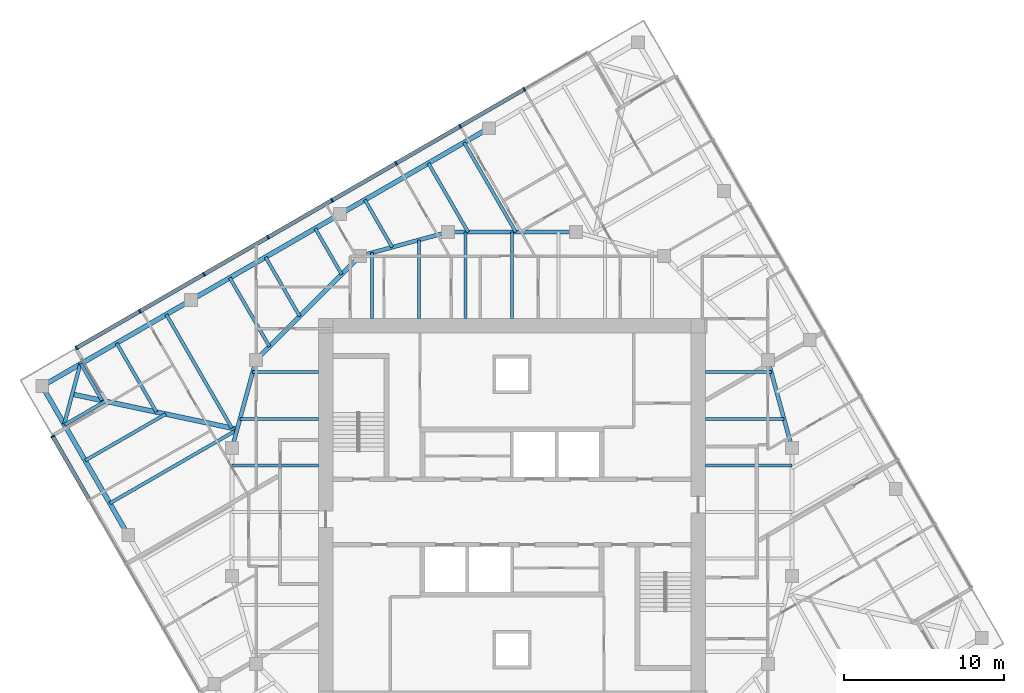
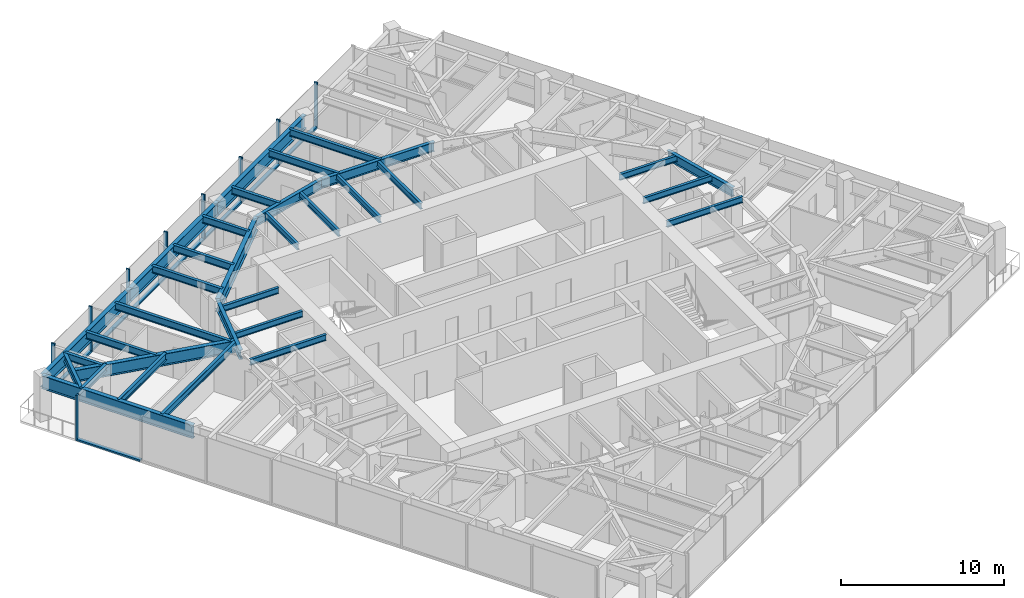
# One storey, part 4 of 13: 33 beams, 17 members, 2 elements without a shape of their own.
"""IFC4 building model written with IfcOpenShell, lengths in metres."""

from ifc_helpers import new_model, si_unit, direction, frame, origin, origin_2d, place, context, subcontext, project, spatial, rectangle, i_section, extrude, material, material_profile, profile_set, type_object, element, aggregate, save


model = new_model("IFC4")

# Units and contexts
model_context = context("Model", 3, precision=1e-05, world=origin(), true_north=direction((0.0, 1.0)))
body_context = subcontext(model_context, "Body", "Model", "MODEL_VIEW")
ifc_project = project(units=[si_unit("LENGTHUNIT", "METRE"), si_unit("AREAUNIT", "SQUARE_METRE"), si_unit("VOLUMEUNIT", "CUBIC_METRE"), si_unit("PLANEANGLEUNIT", "RADIAN"), si_unit("MASSUNIT", "GRAM", prefix="KILO")], contexts=[model_context])

# Site, building, storey
site_placement = place(None, origin())
site = spatial("IfcSite", under=ifc_project, at=site_placement, CompositionType="ELEMENT")
building_placement = place(site_placement, origin())
building = spatial("IfcBuilding", under=site, at=building_placement, Name="Torsade Residences", CompositionType="ELEMENT")
storey_placement = place(building_placement, frame((0.0, 0.0, 225.199951171875)))
storey = spatial("IfcBuildingStorey", under=building, at=storey_placement, Name="L62", CompositionType="ELEMENT", Elevation=225.199951171875)

# Beams
ifc_material_1 = material(Name="Steel grade 300", Category="steel")
ifc_material_profile_1 = material_profile(ifc_material_1, i_section(OverallWidth=0.300048828125, OverallDepth=0.89990234375, WebThickness=0.011962890625, FlangeThickness=0.02490234375, at=origin_2d()), Name="900WB175")
ifc_profile_set_1 = profile_set([ifc_material_profile_1], Name="Steel grade 300")
beam_type_1 = type_object("IfcBeamType", Name="CORNER GIRDER 900WB175", PredefinedType="BEAM", material=ifc_profile_set_1)
beam_1_placement = place(storey_placement, frame((12.5087890625, 37.3662109375, 2.800048828125), z_axis=(0.978115155685, -0.20806427425, 0.0), x_axis=(0.20806427425, 0.978115155685, 0.0)))
element("IfcBeam", 1, at=beam_1_placement, inside=storey, type_object=beam_type_1, Name="Corner girder 13 L63", PredefinedType="BEAM", context=body_context, shape_type="SweptSolid", body=[
    extrude(i_section(OverallWidth=0.300048828125, OverallDepth=0.89990234375, WebThickness=0.011962890625, FlangeThickness=0.02490234375, at=origin_2d()), origin(), (0.0, 0.0, 1.0), 10.541748046875),
])
ifc_material_2 = material(Name="Steel grade 300", Category="steel")
ifc_material_profile_2 = material_profile(ifc_material_2, i_section(OverallWidth=0.22802734375, OverallDepth=0.60205078125, WebThickness=0.010498046875, FlangeThickness=0.014892578125, FilletRadius=0.013916015625, at=origin_2d()), Name="610UB101")
ifc_profile_set_2 = profile_set([ifc_material_profile_2], Name="Steel grade 300")
beam_type_2 = type_object("IfcBeamType", Name="CORNER TRIMMER 610UB101", PredefinedType="BEAM", material=ifc_profile_set_2)
beam_2_placement = place(storey_placement, frame((12.00537109375, 35.488037109375, 2.948974609375), z_axis=(0.258822897619, 0.965924794002, 0.0), x_axis=(-0.965924794002, 0.258822897619, 0.0)))
element("IfcBeam", 2, at=beam_2_placement, inside=storey, type_object=beam_type_2, Name="Corner trimmer 13 L63", PredefinedType="BEAM", context=body_context, shape_type="SweptSolid", body=[
    extrude(i_section(OverallWidth=0.22802734375, OverallDepth=0.60205078125, WebThickness=0.010498046875, FlangeThickness=0.014892578125, FilletRadius=0.013916015625, at=origin_2d()), origin(), (0.0, 0.0, 1.0), 3.88916015625),
])
ifc_material_3 = material(Name="Steel grade 300", Category="steel")
ifc_material_profile_3 = material_profile(ifc_material_3, i_section(OverallWidth=0.300048828125, OverallDepth=1.0, WebThickness=0.01611328125, FlangeThickness=0.028076171875, at=origin_2d()), Name="1000WB215")
ifc_profile_set_3 = profile_set([ifc_material_profile_3], Name="Steel grade 300")
beam_type_3 = type_object("IfcBeamType", Name="EDGE BEAM 1000WB215", PredefinedType="SPANDREL", material=ifc_profile_set_3)
for number, where, z_axis, x_axis, name in (
    (3, (38.559814453125, 53.99462890625, 2.75), (-0.866026365697, -0.499998333915, 0.0), (0.499998333915, -0.866026365697, 0.0), "Edge beam 10 L63"),
    (4, (29.25, 48.61962890625, 2.75), (-0.866026365697, -0.499998333915, 0.0), (0.499998333915, -0.866026365697, 0.0), "Edge beam 11 L63"),
    (5, (19.940185546875, 43.24462890625, 2.75), (-0.866026365697, -0.499998333915, 0.0), (0.499998333915, -0.866026365697, 0.0), "Edge beam 12 L63"),
    (6, (10.63037109375, 37.86962890625, 2.75), (0.499998333915, -0.866026365697, 0.0), (0.866026365697, 0.499998333915, 0.0), "Edge beam 13 L63"),
):
    element("IfcBeam", number, at=place(storey_placement, frame(where, z_axis=z_axis, x_axis=x_axis)), inside=storey, type_object=beam_type_3, Name=name, PredefinedType="SPANDREL", context=body_context, shape_type="SweptSolid", body=[
        extrude(i_section(OverallWidth=0.300048828125, OverallDepth=1.0, WebThickness=0.01611328125, FlangeThickness=0.028076171875, at=origin_2d()), origin(), (0.0, 0.0, 1.0), 10.75),
    ])

# Curtain wall, members
ifc_material_4 = material(Name="Aluminium and glass", Category="aluminium")
curtain_wall_type = type_object("IfcCurtainWallType", Name="FRITTED GLASS CURTAIN WALL HIGH ZONE", PredefinedType="NOTDEFINED", material=ifc_material_4)
curtain_wall_1_placement = place(storey_placement, origin())
curtain_wall_1 = element("IfcCurtainWall", 7, at=curtain_wall_1_placement, inside=storey, type_object=curtain_wall_type, Name="Curtain wall L62 face 7", PredefinedType="NOTDEFINED")
ifc_material_5 = material(Name="Aluminium mullion", Category="aluminium")
ifc_material_profile_4 = material_profile(ifc_material_5, rectangle(XDim=0.25, YDim=0.10009765625, at=origin_2d()), Name="HIGH ZONE CURTAIN WALL MULLION 250x100")
ifc_profile_set_4 = profile_set([ifc_material_profile_4], Name="Aluminium mullion")
member_type_1 = type_object("IfcMemberType", Name="HIGH ZONE CURTAIN WALL MULLION 250x100", PredefinedType="MULLION", material=ifc_profile_set_4)
member_1_placement = place(storey_placement, frame((40.76611328125, 56.423095703125, 0.0), z_axis=(0.0, 0.0, 1.0), x_axis=(0.499999999305, -0.866025404186, 0.0)))
member_1 = element("IfcMember", 8, at=member_1_placement, type_object=member_type_1, Name="Mullion 2", PredefinedType="MULLION", context=body_context, shape_type="SweptSolid", body=[
    extrude(rectangle(XDim=0.25, YDim=0.10009765625, at=origin_2d()), origin(), (0.0, 0.0, 1.0), 3.400146484375),
])
member_2_placement = place(storey_placement, frame((36.7607421875, 54.110595703125, 0.0), z_axis=(0.0, 0.0, 1.0), x_axis=(0.499999999305, -0.866025404186, 0.0)))
member_2 = element("IfcMember", 9, at=member_2_placement, type_object=member_type_1, Name="Mullion 3", PredefinedType="MULLION", context=body_context, shape_type="SweptSolid", body=[
    extrude(rectangle(XDim=0.25, YDim=0.10009765625, at=origin_2d()), origin(), (0.0, 0.0, 1.0), 3.400146484375),
])
member_3_placement = place(storey_placement, frame((32.75537109375, 51.798095703125, 0.0), z_axis=(0.0, 0.0, 1.0), x_axis=(0.499999999305, -0.866025404186, 0.0)))
member_3 = element("IfcMember", 10, at=member_3_placement, type_object=member_type_1, Name="Mullion 4", PredefinedType="MULLION", context=body_context, shape_type="SweptSolid", body=[
    extrude(rectangle(XDim=0.25, YDim=0.10009765625, at=origin_2d()), origin(), (0.0, 0.0, 1.0), 3.400146484375),
])
member_4_placement = place(storey_placement, frame((28.75, 49.485595703125, 0.0), z_axis=(0.0, 0.0, 1.0), x_axis=(0.499999999305, -0.866025404186, 0.0)))
member_4 = element("IfcMember", 11, at=member_4_placement, type_object=member_type_1, Name="Mullion 5", PredefinedType="MULLION", context=body_context, shape_type="SweptSolid", body=[
    extrude(rectangle(XDim=0.25, YDim=0.10009765625, at=origin_2d()), origin(), (0.0, 0.0, 1.0), 3.400146484375),
])
member_5_placement = place(storey_placement, frame((24.74462890625, 47.173095703125, 0.0), z_axis=(0.0, 0.0, 1.0), x_axis=(0.499999999305, -0.866025404186, 0.0)))
member_5 = element("IfcMember", 12, at=member_5_placement, type_object=member_type_1, Name="Mullion 6", PredefinedType="MULLION", context=body_context, shape_type="SweptSolid", body=[
    extrude(rectangle(XDim=0.25, YDim=0.10009765625, at=origin_2d()), origin(), (0.0, 0.0, 1.0), 3.400146484375),
])
member_6_placement = place(storey_placement, frame((20.7392578125, 44.860595703125, 0.0), z_axis=(0.0, 0.0, 1.0), x_axis=(0.499999999305, -0.866025404186, 0.0)))
member_6 = element("IfcMember", 13, at=member_6_placement, type_object=member_type_1, Name="Mullion 7", PredefinedType="MULLION", context=body_context, shape_type="SweptSolid", body=[
    extrude(rectangle(XDim=0.25, YDim=0.10009765625, at=origin_2d()), origin(), (0.0, 0.0, 1.0), 3.400146484375),
])
member_7_placement = place(storey_placement, frame((16.73388671875, 42.548095703125, 0.0), z_axis=(0.0, 0.0, 1.0), x_axis=(0.499999999305, -0.866025404186, 0.0)))
member_7 = element("IfcMember", 14, at=member_7_placement, type_object=member_type_1, Name="Mullion 8", PredefinedType="MULLION", context=body_context, shape_type="SweptSolid", body=[
    extrude(rectangle(XDim=0.25, YDim=0.10009765625, at=origin_2d()), origin(), (0.0, 0.0, 1.0), 3.400146484375),
])
member_8_placement = place(storey_placement, frame((12.771728515625, 40.260498046875, 0.0), z_axis=(0.0, 0.0, 1.0), x_axis=(0.499999999305, -0.866025404186, 0.0)))
member_8 = element("IfcMember", 15, at=member_8_placement, type_object=member_type_1, Name="Mullion 9", PredefinedType="MULLION", context=body_context, shape_type="SweptSolid", body=[
    extrude(rectangle(XDim=0.25, YDim=0.10009765625, at=origin_2d()), origin(), (0.0, 0.0, 1.0), 3.400146484375),
])

# Curtain wall, member
curtain_wall_2_placement = place(storey_placement, origin())
curtain_wall_2 = element("IfcCurtainWall", 16, at=curtain_wall_2_placement, inside=storey, type_object=curtain_wall_type, Name="Curtain wall L62 face 10", PredefinedType="NOTDEFINED")
member_9_placement = place(storey_placement, frame((11.289306640625, 34.728271484375, 0.0), z_axis=(0.0, 0.0, 1.0), x_axis=(0.866025404186, 0.499999999305, 0.0)))
member_9 = element("IfcMember", 17, at=member_9_placement, type_object=member_type_1, Name="Mullion 1", PredefinedType="MULLION", context=body_context, shape_type="SweptSolid", body=[
    extrude(rectangle(XDim=0.25, YDim=0.10009765625, at=origin_2d()), origin(), (0.0, 0.0, 1.0), 3.400146484375),
])

# Member
ifc_material_6 = material(Name="Aluminium transom", Category="aluminium")
ifc_material_profile_5 = material_profile(ifc_material_6, rectangle(XDim=0.25, YDim=0.1201171875, at=origin_2d()), Name="HIGH ZONE CURTAIN WALL TRANSOM 250x120")
ifc_profile_set_5 = profile_set([ifc_material_profile_5], Name="Aluminium transom")
member_type_2 = type_object("IfcMemberType", Name="HIGH ZONE CURTAIN WALL TRANSOM 250x120", PredefinedType="USERDEFINED", material=ifc_profile_set_5)
member_10_placement = place(storey_placement, frame((40.722900390625, 56.398193359375, 0.06005859375), z_axis=(-0.866016678684, -0.500015112013, 0.0), x_axis=(0.500015112013, -0.866016678684, 0.0)))
member_10 = element("IfcMember", 18, at=member_10_placement, type_object=member_type_2, Name="Transom 2.1", ObjectType="TRANSOM", PredefinedType="USERDEFINED", context=body_context, shape_type="SweptSolid", body=[
    extrude(rectangle(XDim=0.25, YDim=0.1201171875, at=origin_2d()), origin(), (0.0, 0.0, 1.0), 4.525146484375),
])

member_11_placement = place(storey_placement, frame((36.717529296875, 54.085693359375, 0.06005859375), z_axis=(-0.866016678684, -0.500015112013, 0.0), x_axis=(0.500015112013, -0.866016678684, 0.0)))
member_11 = element("IfcMember", 19, at=member_11_placement, type_object=member_type_2, Name="Transom 3.1", ObjectType="TRANSOM", PredefinedType="USERDEFINED", context=body_context, shape_type="SweptSolid", body=[
    extrude(rectangle(XDim=0.25, YDim=0.1201171875, at=origin_2d()), origin(), (0.0, 0.0, 1.0), 4.525146484375),
])

member_12_placement = place(storey_placement, frame((32.712158203125, 51.773193359375, 0.06005859375), z_axis=(-0.866016678684, -0.500015112013, 0.0), x_axis=(0.500015112013, -0.866016678684, 0.0)))
member_12 = element("IfcMember", 20, at=member_12_placement, type_object=member_type_2, Name="Transom 4.1", ObjectType="TRANSOM", PredefinedType="USERDEFINED", context=body_context, shape_type="SweptSolid", body=[
    extrude(rectangle(XDim=0.25, YDim=0.1201171875, at=origin_2d()), origin(), (0.0, 0.0, 1.0), 4.525146484375),
])

member_13_placement = place(storey_placement, frame((28.706787109375, 49.460693359375, 0.06005859375), z_axis=(-0.866016678684, -0.500015112013, 0.0), x_axis=(0.500015112013, -0.866016678684, 0.0)))
member_13 = element("IfcMember", 21, at=member_13_placement, type_object=member_type_2, Name="Transom 5.1", ObjectType="TRANSOM", PredefinedType="USERDEFINED", context=body_context, shape_type="SweptSolid", body=[
    extrude(rectangle(XDim=0.25, YDim=0.1201171875, at=origin_2d()), origin(), (0.0, 0.0, 1.0), 4.525146484375),
])

member_14_placement = place(storey_placement, frame((24.701416015625, 47.148193359375, 0.06005859375), z_axis=(-0.866016678684, -0.500015112013, 0.0), x_axis=(0.500015112013, -0.866016678684, 0.0)))
member_14 = element("IfcMember", 22, at=member_14_placement, type_object=member_type_2, Name="Transom 6.1", ObjectType="TRANSOM", PredefinedType="USERDEFINED", context=body_context, shape_type="SweptSolid", body=[
    extrude(rectangle(XDim=0.25, YDim=0.1201171875, at=origin_2d()), origin(), (0.0, 0.0, 1.0), 4.525146484375),
])

member_15_placement = place(storey_placement, frame((20.696044921875, 44.835693359375, 0.06005859375), z_axis=(-0.866016678684, -0.500015112013, 0.0), x_axis=(0.500015112013, -0.866016678684, 0.0)))
member_15 = element("IfcMember", 23, at=member_15_placement, type_object=member_type_2, Name="Transom 7.1", ObjectType="TRANSOM", PredefinedType="USERDEFINED", context=body_context, shape_type="SweptSolid", body=[
    extrude(rectangle(XDim=0.25, YDim=0.1201171875, at=origin_2d()), origin(), (0.0, 0.0, 1.0), 4.525146484375),
])

member_16_placement = place(storey_placement, frame((16.690673828125, 42.523193359375, 0.06005859375), z_axis=(-0.866022053326, -0.50000580312, 0.0), x_axis=(0.50000580312, -0.866022053326, 0.0)))
member_16 = element("IfcMember", 24, at=member_16_placement, type_object=member_type_2, Name="Transom 8.1", ObjectType="TRANSOM", PredefinedType="USERDEFINED", context=body_context, shape_type="SweptSolid", body=[
    extrude(rectangle(XDim=0.25, YDim=0.1201171875, at=origin_2d()), origin(), (0.0, 0.0, 1.0), 4.47509765625),
])

aggregate(curtain_wall_1, [member_1, member_2, member_3, member_4, member_5, member_6, member_7, member_8, member_10, member_11, member_12, member_13, member_14, member_15, member_16])

member_17_placement = place(storey_placement, frame((11.314453125, 34.684814453125, 0.06005859375), z_axis=(0.50000580312, -0.866022053326, 0.0), x_axis=(0.866022053326, 0.50000580312, 0.0)))
member_17 = element("IfcMember", 25, at=member_17_placement, type_object=member_type_2, Name="Transom 1.1", ObjectType="TRANSOM", PredefinedType="USERDEFINED", context=body_context, shape_type="SweptSolid", body=[
    extrude(rectangle(XDim=0.25, YDim=0.1201171875, at=origin_2d()), origin(), (0.0, 0.0, 1.0), 4.47509765625),
])

aggregate(curtain_wall_2, [member_9, member_17])

# Beams
ifc_material_7 = material(Name="Steel grade 300", Category="steel")
ifc_material_profile_6 = material_profile(ifc_material_7, i_section(OverallWidth=0.18994140625, OverallDepth=0.4541015625, WebThickness=0.008544921875, FlangeThickness=0.0126953125, FilletRadius=0.011474609375, at=origin_2d()), Name="460UB67.1")
ifc_profile_set_6 = profile_set([ifc_material_profile_6], Name="Steel grade 300")
beam_type_4 = type_object("IfcBeamType", Name="INNER FLOOR BEAM 460UB67.1", PredefinedType="JOIST", material=ifc_profile_set_6)
beam_3_placement = place(storey_placement, frame((31.262451171875, 42.10009765625, 3.02294921875), z_axis=(0.0, 1.0, 0.0), x_axis=(-1.0, 0.0, 0.0)))
element("IfcBeam", 26, at=beam_3_placement, inside=storey, type_object=beam_type_4, Name="Inner floor beam IN01 L63", PredefinedType="JOIST", context=body_context, shape_type="SweptSolid", body=[
    extrude(i_section(OverallWidth=0.18994140625, OverallDepth=0.4541015625, WebThickness=0.008544921875, FlangeThickness=0.0126953125, FilletRadius=0.011474609375, at=origin_2d()), origin(), (0.0, 0.0, 1.0), 4.10791015625),
])
beam_4_placement = place(storey_placement, frame((34.175048828125, 42.10009765625, 3.02294921875), z_axis=(0.0, 1.0, 0.0), x_axis=(-1.0, 0.0, 0.0)))
element("IfcBeam", 27, at=beam_4_placement, inside=storey, type_object=beam_type_4, Name="Inner floor beam IN02 L63", PredefinedType="JOIST", context=body_context, shape_type="SweptSolid", body=[
    extrude(i_section(OverallWidth=0.18994140625, OverallDepth=0.4541015625, WebThickness=0.008544921875, FlangeThickness=0.0126953125, FilletRadius=0.011474609375, at=origin_2d()), origin(), (0.0, 0.0, 1.0), 4.902099609375),
])
for number, where, z_axis, x_axis, name in (
    (28, (37.08740234375, 42.10009765625, 3.02294921875), (0.0, 1.0, 0.0), (-1.0, 0.0, 0.0), "Inner floor beam IN03 L63"),
    (29, (40.0, 42.10009765625, 3.02294921875), (0.0, 1.0, 0.0), (-1.0, 0.0, 0.0), "Inner floor beam IN04 L63"),
    (30, (52.10009765625, 32.91259765625, 3.02294921875), (1.0, 0.0, 0.0), (0.0, 1.0, 0.0), "Inner floor beam IE05 L63"),
):
    element("IfcBeam", number, at=place(storey_placement, frame(where, z_axis=z_axis, x_axis=x_axis)), inside=storey, type_object=beam_type_4, Name=name, PredefinedType="JOIST", context=body_context, shape_type="SweptSolid", body=[
        extrude(i_section(OverallWidth=0.18994140625, OverallDepth=0.4541015625, WebThickness=0.008544921875, FlangeThickness=0.0126953125, FilletRadius=0.011474609375, at=origin_2d()), origin(), (0.0, 0.0, 1.0), 5.39990234375),
    ])
beam_5_placement = place(storey_placement, frame((52.10009765625, 35.824951171875, 3.02294921875), z_axis=(1.0, 0.0, 0.0), x_axis=(0.0, 1.0, 0.0)))
element("IfcBeam", 31, at=beam_5_placement, inside=storey, type_object=beam_type_4, Name="Inner floor beam IE06 L63", PredefinedType="JOIST", context=body_context, shape_type="SweptSolid", body=[
    extrude(i_section(OverallWidth=0.18994140625, OverallDepth=0.4541015625, WebThickness=0.008544921875, FlangeThickness=0.0126953125, FilletRadius=0.011474609375, at=origin_2d()), origin(), (0.0, 0.0, 1.0), 4.902099609375),
])
for number, where, z_axis, x_axis, name in (
    (32, (52.10009765625, 38.737548828125, 3.02294921875), (1.0, 0.0, 0.0), (0.0, 1.0, 0.0), "Inner floor beam IE07 L63"),
    (33, (27.89990234375, 38.737548828125, 3.02294921875), (-1.0, 0.0, 0.0), (0.0, -1.0, 0.0), "Inner floor beam IW01 L63"),
):
    element("IfcBeam", number, at=place(storey_placement, frame(where, z_axis=z_axis, x_axis=x_axis)), inside=storey, type_object=beam_type_4, Name=name, PredefinedType="JOIST", context=body_context, shape_type="SweptSolid", body=[
        extrude(i_section(OverallWidth=0.18994140625, OverallDepth=0.4541015625, WebThickness=0.008544921875, FlangeThickness=0.0126953125, FilletRadius=0.011474609375, at=origin_2d()), origin(), (0.0, 0.0, 1.0), 4.10791015625),
    ])
beam_6_placement = place(storey_placement, frame((27.89990234375, 35.824951171875, 3.02294921875), z_axis=(-1.0, 0.0, 0.0), x_axis=(0.0, -1.0, 0.0)))
element("IfcBeam", 34, at=beam_6_placement, inside=storey, type_object=beam_type_4, Name="Inner floor beam IW02 L63", PredefinedType="JOIST", context=body_context, shape_type="SweptSolid", body=[
    extrude(i_section(OverallWidth=0.18994140625, OverallDepth=0.4541015625, WebThickness=0.008544921875, FlangeThickness=0.0126953125, FilletRadius=0.011474609375, at=origin_2d()), origin(), (0.0, 0.0, 1.0), 4.902099609375),
])
beam_7_placement = place(storey_placement, frame((27.89990234375, 32.91259765625, 3.02294921875), z_axis=(-1.0, 0.0, 0.0), x_axis=(0.0, -1.0, 0.0)))
element("IfcBeam", 35, at=beam_7_placement, inside=storey, type_object=beam_type_4, Name="Inner floor beam IW03 L63", PredefinedType="JOIST", context=body_context, shape_type="SweptSolid", body=[
    extrude(i_section(OverallWidth=0.18994140625, OverallDepth=0.4541015625, WebThickness=0.008544921875, FlangeThickness=0.0126953125, FilletRadius=0.011474609375, at=origin_2d()), origin(), (0.0, 0.0, 1.0), 5.39990234375),
])
ifc_material_8 = material(Name="Steel grade 300", Category="steel")
ifc_material_profile_7 = material_profile(ifc_material_8, i_section(OverallWidth=0.300048828125, OverallDepth=1.0, WebThickness=0.01611328125, FlangeThickness=0.028076171875, at=origin_2d()), Name="1000WB215")
ifc_profile_set_7 = profile_set([ifc_material_profile_7], Name="Steel grade 300")
beam_type_5 = type_object("IfcBeamType", Name="RING CORNER GIRDER 1000WB215", PredefinedType="BEAM", material=ifc_profile_set_7)
beam_8_placement = place(storey_placement, frame((30.5, 46.0, 2.75), z_axis=(-0.707106781187, -0.707106781187, 0.0), x_axis=(0.707106781187, -0.707106781187, 0.0)))
element("IfcBeam", 36, at=beam_8_placement, inside=storey, type_object=beam_type_5, Name="Ring girder IR07 L63", PredefinedType="BEAM", context=body_context, shape_type="SweptSolid", body=[
    extrude(i_section(OverallWidth=0.300048828125, OverallDepth=1.0, WebThickness=0.01611328125, FlangeThickness=0.028076171875, at=origin_2d()), origin(), (0.0, 0.0, 1.0), 9.1923828125),
])
ifc_material_9 = material(Name="Steel grade 300", Category="steel")
ifc_material_profile_8 = material_profile(ifc_material_9, i_section(OverallWidth=0.25, OverallDepth=0.699951171875, WebThickness=0.010009765625, FlangeThickness=0.02001953125, at=origin_2d()), Name="700WB130")
ifc_profile_set_8 = profile_set([ifc_material_profile_8], Name="Steel grade 300")
beam_type_6 = type_object("IfcBeamType", Name="RING GIRDER 700WB130", PredefinedType="BEAM", material=ifc_profile_set_8)
beam_9_placement = place(storey_placement, frame((57.5, 34.0, 2.900146484375), z_axis=(-0.263117405792, 0.964763821238, 0.0), x_axis=(-0.964763821238, -0.263117405792, 0.0)))
element("IfcBeam", 37, at=beam_9_placement, inside=storey, type_object=beam_type_6, Name="Ring girder IR02 L63", PredefinedType="BEAM", context=body_context, shape_type="SweptSolid", body=[
    extrude(i_section(OverallWidth=0.25, OverallDepth=0.699951171875, WebThickness=0.010009765625, FlangeThickness=0.02001953125, at=origin_2d()), origin(), (0.0, 0.0, 1.0), 5.700927734375),
])
beam_10_placement = place(storey_placement, frame((44.0, 47.5, 2.900146484375), z_axis=(-1.0, 0.0, 0.0), x_axis=(0.0, -1.0, 0.0)))
element("IfcBeam", 38, at=beam_10_placement, inside=storey, type_object=beam_type_6, Name="Ring girder IR05 L63", PredefinedType="BEAM", context=body_context, shape_type="SweptSolid", body=[
    extrude(i_section(OverallWidth=0.25, OverallDepth=0.699951171875, WebThickness=0.010009765625, FlangeThickness=0.02001953125, at=origin_2d()), origin(), (0.0, 0.0, 1.0), 8.0),
])
for number, where, z_axis, x_axis, name in (
    (39, (36.0, 47.5, 2.900146484375), (-0.964763821238, -0.263117405792, 0.0), (0.263117405792, -0.964763821238, 0.0), "Ring girder IR06 L63"),
    (40, (24.0, 39.5, 2.900146484375), (-0.263117405792, -0.964763821238, 0.0), (0.964763821238, -0.263117405792, 0.0), "Ring girder IR08 L63"),
):
    element("IfcBeam", number, at=place(storey_placement, frame(where, z_axis=z_axis, x_axis=x_axis)), inside=storey, type_object=beam_type_6, Name=name, PredefinedType="BEAM", context=body_context, shape_type="SweptSolid", body=[
        extrude(i_section(OverallWidth=0.25, OverallDepth=0.699951171875, WebThickness=0.010009765625, FlangeThickness=0.02001953125, at=origin_2d()), origin(), (0.0, 0.0, 1.0), 5.700927734375),
    ])
ifc_material_10 = material(Name="Steel grade 300", Category="steel")
ifc_material_profile_9 = material_profile(ifc_material_10, i_section(OverallWidth=0.208984375, OverallDepth=0.528076171875, WebThickness=0.009521484375, FlangeThickness=0.01318359375, FilletRadius=0.013916015625, at=origin_2d()), Name="530UB82.0")
ifc_profile_set_9 = profile_set([ifc_material_profile_9], Name="Steel grade 300")
beam_type_7 = type_object("IfcBeamType", Name="SECONDARY BEAM 530UB82.0", PredefinedType="JOIST", material=ifc_profile_set_9)
beam_11_placement = place(storey_placement, frame((37.008056640625, 53.0986328125, 2.986083984375), z_axis=(0.500005767435, -0.866022073929, 0.0), x_axis=(0.866022073929, 0.500005767435, 0.0)))
element("IfcBeam", 41, at=beam_11_placement, inside=storey, type_object=beam_type_7, Name="Floor beam FN04 L63", PredefinedType="JOIST", context=body_context, shape_type="SweptSolid", body=[
    extrude(i_section(OverallWidth=0.208984375, OverallDepth=0.528076171875, WebThickness=0.009521484375, FlangeThickness=0.01318359375, FilletRadius=0.013916015625, at=origin_2d()), origin(), (0.0, 0.0, 1.0), 6.46484375),
])
beam_12_placement = place(storey_placement, frame((34.77099609375, 51.80712890625, 2.986083984375), z_axis=(0.499977414361, -0.866038443216, 0.0), x_axis=(0.866038443216, 0.499977414361, 0.0)))
element("IfcBeam", 42, at=beam_12_placement, inside=storey, type_object=beam_type_7, Name="Floor beam FN05 L63", PredefinedType="JOIST", context=body_context, shape_type="SweptSolid", body=[
    extrude(i_section(OverallWidth=0.208984375, OverallDepth=0.528076171875, WebThickness=0.009521484375, FlangeThickness=0.01318359375, FilletRadius=0.013916015625, at=origin_2d()), origin(), (0.0, 0.0, 1.0), 4.973388671875),
])
beam_13_placement = place(storey_placement, frame((30.801513671875, 49.515380859375, 2.986083984375), z_axis=(0.500041249073, -0.866001587311, 0.0), x_axis=(0.866001587311, 0.500041249073, 0.0)))
element("IfcBeam", 43, at=beam_13_placement, inside=storey, type_object=beam_type_7, Name="Floor beam FN06 L63", PredefinedType="JOIST", context=body_context, shape_type="SweptSolid", body=[
    extrude(i_section(OverallWidth=0.208984375, OverallDepth=0.528076171875, WebThickness=0.009521484375, FlangeThickness=0.01318359375, FilletRadius=0.013916015625, at=origin_2d()), origin(), (0.0, 0.0, 1.0), 3.425048828125),
])
beam_14_placement = place(storey_placement, frame((27.698486328125, 47.7236328125, 2.986083984375), z_axis=(0.499975512502, -0.866039541186, 0.0), x_axis=(0.866039541186, 0.499975512502, 0.0)))
element("IfcBeam", 44, at=beam_14_placement, inside=storey, type_object=beam_type_7, Name="Floor beam FN07 L63", PredefinedType="JOIST", context=body_context, shape_type="SweptSolid", body=[
    extrude(i_section(OverallWidth=0.208984375, OverallDepth=0.528076171875, WebThickness=0.009521484375, FlangeThickness=0.01318359375, FilletRadius=0.013916015625, at=origin_2d()), origin(), (0.0, 0.0, 1.0), 3.312744140625),
])
beam_15_placement = place(storey_placement, frame((24.59521484375, 45.93212890625, 2.986083984375), z_axis=(0.500004369671, -0.866022880939, 0.0), x_axis=(0.866022880939, 0.500004369671, 0.0)))
element("IfcBeam", 45, at=beam_15_placement, inside=storey, type_object=beam_type_7, Name="Floor beam FN08 L63", PredefinedType="JOIST", context=body_context, shape_type="SweptSolid", body=[
    extrude(i_section(OverallWidth=0.208984375, OverallDepth=0.528076171875, WebThickness=0.009521484375, FlangeThickness=0.01318359375, FilletRadius=0.013916015625, at=origin_2d()), origin(), (0.0, 0.0, 1.0), 4.27294921875),
])
beam_16_placement = place(storey_placement, frame((22.35791015625, 44.640380859375, 2.986083984375), z_axis=(0.49996790502, -0.866043933037, 0.0), x_axis=(0.866043933037, 0.49996790502, 0.0)))
element("IfcBeam", 46, at=beam_16_placement, inside=storey, type_object=beam_type_7, Name="Floor beam FN09 L63", PredefinedType="JOIST", context=body_context, shape_type="SweptSolid", body=[
    extrude(i_section(OverallWidth=0.208984375, OverallDepth=0.528076171875, WebThickness=0.009521484375, FlangeThickness=0.01318359375, FilletRadius=0.013916015625, at=origin_2d()), origin(), (0.0, 0.0, 1.0), 4.965087890625),
])
beam_17_placement = place(storey_placement, frame((18.388671875, 42.3486328125, 2.986083984375), z_axis=(0.499992034702, -0.866030002502, 0.0), x_axis=(0.866030002502, 0.499992034702, 0.0)))
element("IfcBeam", 47, at=beam_17_placement, inside=storey, type_object=beam_type_7, Name="Floor beam FN10 L63", PredefinedType="JOIST", context=body_context, shape_type="SweptSolid", body=[
    extrude(i_section(OverallWidth=0.208984375, OverallDepth=0.528076171875, WebThickness=0.009521484375, FlangeThickness=0.01318359375, FilletRadius=0.013916015625, at=origin_2d()), origin(), (0.0, 0.0, 1.0), 8.205322265625),
])
beam_18_placement = place(storey_placement, frame((15.285400390625, 40.55712890625, 2.986083984375), z_axis=(0.499968694491, -0.866043477274, 0.0), x_axis=(0.866043477274, 0.499968694491, 0.0)))
element("IfcBeam", 48, at=beam_18_placement, inside=storey, type_object=beam_type_7, Name="Floor beam FN11 L63", PredefinedType="JOIST", context=body_context, shape_type="SweptSolid", body=[
    extrude(i_section(OverallWidth=0.208984375, OverallDepth=0.528076171875, WebThickness=0.009521484375, FlangeThickness=0.01318359375, FilletRadius=0.013916015625, at=origin_2d()), origin(), (0.0, 0.0, 1.0), 4.977783203125),
])
beam_19_placement = place(storey_placement, frame((13.048095703125, 39.265380859375, 2.986083984375), z_axis=(0.499972238474, -0.866041431316, 0.0), x_axis=(0.866041431316, 0.499972238474, 0.0)))
element("IfcBeam", 49, at=beam_19_placement, inside=storey, type_object=beam_type_7, Name="Floor beam FN12 L63", PredefinedType="JOIST", context=body_context, shape_type="SweptSolid", body=[
    extrude(i_section(OverallWidth=0.208984375, OverallDepth=0.528076171875, WebThickness=0.009521484375, FlangeThickness=0.01318359375, FilletRadius=0.013916015625, at=origin_2d()), origin(), (0.0, 0.0, 1.0), 2.651123046875),
])
beam_20_placement = place(storey_placement, frame((12.0263671875, 35.451904296875, 2.986083984375), z_axis=(0.866017313224, 0.500014013, 0.0), x_axis=(-0.500014013, 0.866017313224, 0.0)))
element("IfcBeam", 50, at=beam_20_placement, inside=storey, type_object=beam_type_7, Name="Floor beam FW01 L63", PredefinedType="JOIST", context=body_context, shape_type="SweptSolid", body=[
    extrude(i_section(OverallWidth=0.208984375, OverallDepth=0.528076171875, WebThickness=0.009521484375, FlangeThickness=0.01318359375, FilletRadius=0.013916015625, at=origin_2d()), origin(), (0.0, 0.0, 1.0), 2.94775390625),
])
beam_21_placement = place(storey_placement, frame((13.31787109375, 33.214599609375, 2.986083984375), z_axis=(0.866031100357, 0.499990133118, 0.0), x_axis=(-0.499990133118, 0.866031100357, 0.0)))
element("IfcBeam", 51, at=beam_21_placement, inside=storey, type_object=beam_type_7, Name="Floor beam FW02 L63", PredefinedType="JOIST", context=body_context, shape_type="SweptSolid", body=[
    extrude(i_section(OverallWidth=0.208984375, OverallDepth=0.528076171875, WebThickness=0.009521484375, FlangeThickness=0.01318359375, FilletRadius=0.013916015625, at=origin_2d()), origin(), (0.0, 0.0, 1.0), 5.81591796875),
])
beam_22_placement = place(storey_placement, frame((14.859619140625, 30.54443359375, 2.986083984375), z_axis=(0.866021712342, 0.500006393711, 0.0), x_axis=(-0.500006393711, 0.866021712342, 0.0)))
element("IfcBeam", 52, at=beam_22_placement, inside=storey, type_object=beam_type_7, Name="Floor beam FW03 L63", PredefinedType="JOIST", context=body_context, shape_type="SweptSolid", body=[
    extrude(i_section(OverallWidth=0.208984375, OverallDepth=0.528076171875, WebThickness=0.009521484375, FlangeThickness=0.01318359375, FilletRadius=0.013916015625, at=origin_2d()), origin(), (0.0, 0.0, 1.0), 9.1796875),
])

save(model, "model.ifc")
